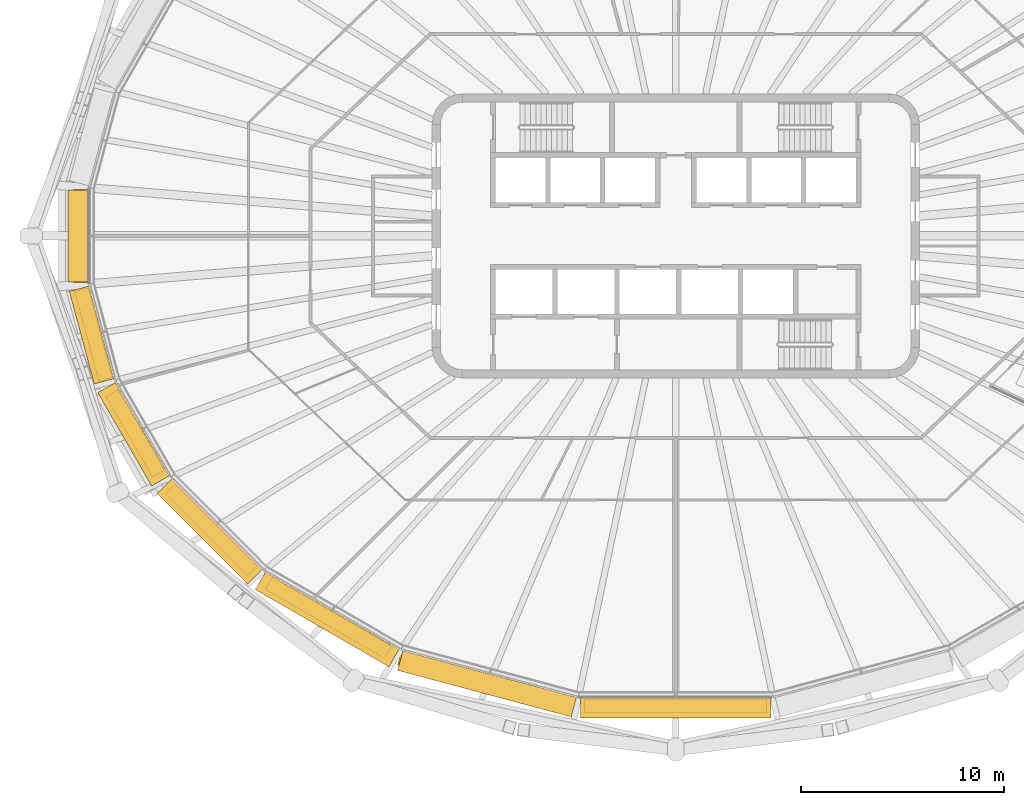
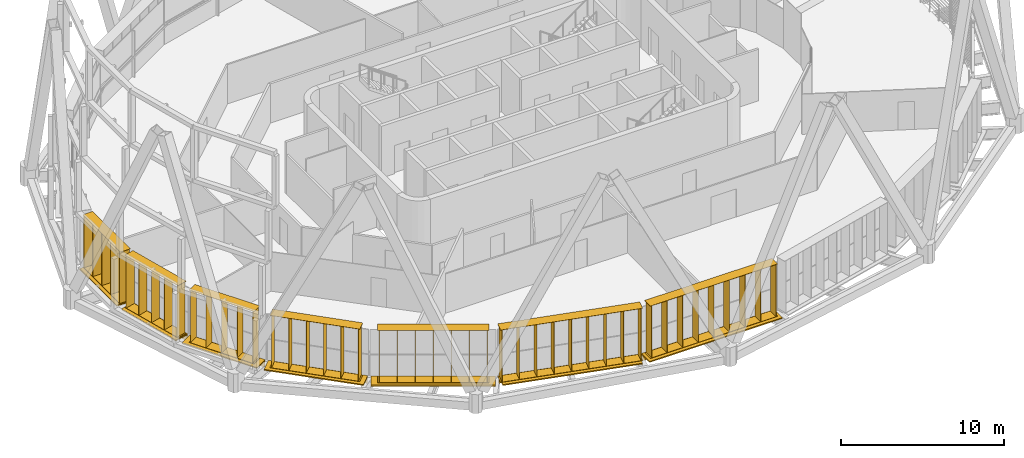
# One storey, part 17 of 22: 14 shading devices.
"""IFC4 building model written with IfcOpenShell, lengths in metres."""

from ifc_helpers import new_model, si_unit, direction, frame, origin, origin_2d, place, context, subcontext, project, spatial, rectangle, extrude, material, type_object, element, save


model = new_model("IFC4")

# Units and contexts
model_context = context("Model", 3, precision=1e-05, world=origin(), true_north=direction((0.0, 1.0)))
body_context = subcontext(model_context, "Body", "Model", "MODEL_VIEW")
ifc_project = project(units=[si_unit("LENGTHUNIT", "METRE"), si_unit("AREAUNIT", "SQUARE_METRE"), si_unit("VOLUMEUNIT", "CUBIC_METRE"), si_unit("PLANEANGLEUNIT", "RADIAN"), si_unit("MASSUNIT", "GRAM", prefix="KILO")], contexts=[model_context])

# Site, building, storey
site_placement = place(None, origin())
site = spatial("IfcSite", under=ifc_project, at=site_placement, CompositionType="ELEMENT")
building_placement = place(site_placement, origin())
building = spatial("IfcBuilding", under=site, at=building_placement, Name="Sahrelin Media Tower", CompositionType="ELEMENT")
storey_placement = place(building_placement, frame((0.0, 0.0, 283.0)))
storey = spatial("IfcBuildingStorey", under=building, at=storey_placement, Name="L62", CompositionType="ELEMENT", Elevation=283.0)

# Shading devices
ifc_material = material(Name="Champagne anodised aluminium 6063-T6", Category="aluminium")
shading_device_type_1 = type_object("IfcShadingDeviceType", Name="Fin cassette", PredefinedType="USERDEFINED", material=ifc_material)
placement_1 = place(storey_placement, frame((-28.9189453125, 0.0, 0.0), z_axis=(0.0, 0.0, 1.0), x_axis=(0.0, 1.0, 0.0)))
element("IfcShadingDevice", 1, at=placement_1, inside=storey, type_object=shading_device_type_1, Name="L62:FIN:L62-12", ObjectType="FIN", PredefinedType="USERDEFINED", context=body_context, shape_type="SweptSolid", body=[
    extrude(rectangle(XDim=4.60009765625, YDim=0.699951171875, at=origin_2d()), frame((0.0, 0.419921875, 0.0)), (0.0, 0.0, 1.0), 0.02001953125),
    extrude(rectangle(XDim=4.60009765625, YDim=0.699951171875, at=origin_2d()), frame((0.0, 0.419921875, 3.89990234375)), (0.0, 0.0, 1.0), 0.02001953125),
    extrude(rectangle(XDim=0.02001953125, YDim=0.699951171875, at=origin_2d()), frame((-2.199951171875, 0.419921875, 0.010009765625), z_axis=(0.0, 0.0, 1.0), x_axis=(1.0, 0.0, 0.0)), (0.0, 0.0, 1.0), 3.89990234375),
    extrude(rectangle(XDim=0.02001953125, YDim=0.699951171875, at=origin_2d()), frame((-1.10009765625, 0.419921875, 0.010009765625), z_axis=(0.0, 0.0, 1.0), x_axis=(1.0, 0.0, 0.0)), (0.0, 0.0, 1.0), 3.89990234375),
    extrude(rectangle(XDim=0.02001953125, YDim=0.699951171875, at=origin_2d()), frame((0.0, 0.419921875, 0.010009765625), z_axis=(0.0, 0.0, 1.0), x_axis=(1.0, 0.0, 0.0)), (0.0, 0.0, 1.0), 3.89990234375),
    extrude(rectangle(XDim=0.02001953125, YDim=0.699951171875, at=origin_2d()), frame((1.10009765625, 0.419921875, 0.010009765625), z_axis=(0.0, 0.0, 1.0), x_axis=(1.0, 0.0, 0.0)), (0.0, 0.0, 1.0), 3.89990234375),
    extrude(rectangle(XDim=0.02001953125, YDim=0.699951171875, at=origin_2d()), frame((2.199951171875, 0.419921875, 0.010009765625), z_axis=(0.0, 0.0, 1.0), x_axis=(1.0, 0.0, 0.0)), (0.0, 0.0, 1.0), 3.89990234375),
])
placement_2 = place(storey_placement, frame((-28.28125, -4.74853515625, 0.0), z_axis=(0.0, 0.0, 1.0), x_axis=(-0.258807731996, 0.965928857556, 0.0)))
element("IfcShadingDevice", 2, at=placement_2, inside=storey, type_object=shading_device_type_1, Name="L62:FIN:L62-13", ObjectType="FIN", PredefinedType="USERDEFINED", context=body_context, shape_type="SweptSolid", body=[
    extrude(rectangle(XDim=4.60009765625, YDim=0.699951171875, at=origin_2d()), frame((0.0, 0.419921875, 0.0)), (0.0, 0.0, 1.0), 0.02001953125),
    extrude(rectangle(XDim=4.60009765625, YDim=0.699951171875, at=origin_2d()), frame((0.0, 0.419921875, 3.89990234375)), (0.0, 0.0, 1.0), 0.02001953125),
    extrude(rectangle(XDim=0.02001953125, YDim=0.699951171875, at=origin_2d()), frame((-2.199951171875, 0.419921875, 0.010009765625), z_axis=(0.0, 0.0, 1.0), x_axis=(1.0, 0.0, 0.0)), (0.0, 0.0, 1.0), 3.89990234375),
    extrude(rectangle(XDim=0.02001953125, YDim=0.699951171875, at=origin_2d()), frame((-1.10009765625, 0.419921875, 0.010009765625), z_axis=(0.0, 0.0, 1.0), x_axis=(1.0, 0.0, 0.0)), (0.0, 0.0, 1.0), 3.89990234375),
    extrude(rectangle(XDim=0.02001953125, YDim=0.699951171875, at=origin_2d()), frame((0.0, 0.419921875, 0.010009765625), z_axis=(0.0, 0.0, 1.0), x_axis=(1.0, 0.0, 0.0)), (0.0, 0.0, 1.0), 3.89990234375),
    extrude(rectangle(XDim=0.02001953125, YDim=0.699951171875, at=origin_2d()), frame((1.10009765625, 0.419921875, 0.010009765625), z_axis=(0.0, 0.0, 1.0), x_axis=(1.0, 0.0, 0.0)), (0.0, 0.0, 1.0), 3.89990234375),
    extrude(rectangle(XDim=0.02001953125, YDim=0.699951171875, at=origin_2d()), frame((2.199951171875, 0.419921875, 0.010009765625), z_axis=(0.0, 0.0, 1.0), x_axis=(1.0, 0.0, 0.0)), (0.0, 0.0, 1.0), 3.89990234375),
])
placement_3 = place(storey_placement, frame((-26.26708984375, -9.512451171875, 0.0), z_axis=(0.0, 0.0, 1.0), x_axis=(-0.500011000363, 0.866019052629, 0.0)))
element("IfcShadingDevice", 3, at=placement_3, inside=storey, type_object=shading_device_type_1, Name="L62:FIN:L62-14", ObjectType="FIN", PredefinedType="USERDEFINED", context=body_context, shape_type="SweptSolid", body=[
    extrude(rectangle(XDim=4.60009765625, YDim=0.699951171875, at=origin_2d()), frame((0.0, 0.419921875, 0.0)), (0.0, 0.0, 1.0), 0.02001953125),
    extrude(rectangle(XDim=4.60009765625, YDim=0.699951171875, at=origin_2d()), frame((0.0, 0.419921875, 3.89990234375)), (0.0, 0.0, 1.0), 0.02001953125),
    extrude(rectangle(XDim=0.02001953125, YDim=0.699951171875, at=origin_2d()), frame((-2.199951171875, 0.419921875, 0.010009765625), z_axis=(0.0, 0.0, 1.0), x_axis=(1.0, 0.0, 0.0)), (0.0, 0.0, 1.0), 3.89990234375),
    extrude(rectangle(XDim=0.02001953125, YDim=0.699951171875, at=origin_2d()), frame((-1.10009765625, 0.419921875, 0.010009765625), z_axis=(0.0, 0.0, 1.0), x_axis=(1.0, 0.0, 0.0)), (0.0, 0.0, 1.0), 3.89990234375),
    extrude(rectangle(XDim=0.02001953125, YDim=0.699951171875, at=origin_2d()), frame((0.0, 0.419921875, 0.010009765625), z_axis=(0.0, 0.0, 1.0), x_axis=(1.0, 0.0, 0.0)), (0.0, 0.0, 1.0), 3.89990234375),
    extrude(rectangle(XDim=0.02001953125, YDim=0.699951171875, at=origin_2d()), frame((1.10009765625, 0.419921875, 0.010009765625), z_axis=(0.0, 0.0, 1.0), x_axis=(1.0, 0.0, 0.0)), (0.0, 0.0, 1.0), 3.89990234375),
    extrude(rectangle(XDim=0.02001953125, YDim=0.699951171875, at=origin_2d()), frame((2.199951171875, 0.419921875, 0.010009765625), z_axis=(0.0, 0.0, 1.0), x_axis=(1.0, 0.0, 0.0)), (0.0, 0.0, 1.0), 3.89990234375),
])
placement_4 = place(storey_placement, frame((-22.593017578125, -14.1943359375, 0.0), z_axis=(0.0, 0.0, 1.0), x_axis=(-0.707106781187, 0.707106781187, 0.0)))
element("IfcShadingDevice", 4, at=placement_4, inside=storey, type_object=shading_device_type_1, Name="L62:FIN:L62-15", ObjectType="FIN", PredefinedType="USERDEFINED", context=body_context, shape_type="SweptSolid", body=[
    extrude(rectangle(XDim=5.699951171875, YDim=0.699951171875, at=origin_2d()), frame((0.0, 0.419921875, 0.0)), (0.0, 0.0, 1.0), 0.02001953125),
    extrude(rectangle(XDim=5.699951171875, YDim=0.699951171875, at=origin_2d()), frame((0.0, 0.419921875, 3.89990234375)), (0.0, 0.0, 1.0), 0.02001953125),
    extrude(rectangle(XDim=0.02001953125, YDim=0.699951171875, at=origin_2d()), frame((-2.75, 0.419921875, 0.010009765625), z_axis=(0.0, 0.0, 1.0), x_axis=(1.0, 0.0, 0.0)), (0.0, 0.0, 1.0), 3.89990234375),
    extrude(rectangle(XDim=0.02001953125, YDim=0.699951171875, at=origin_2d()), frame((-1.64990234375, 0.419921875, 0.010009765625), z_axis=(0.0, 0.0, 1.0), x_axis=(1.0, 0.0, 0.0)), (0.0, 0.0, 1.0), 3.89990234375),
    extrude(rectangle(XDim=0.02001953125, YDim=0.699951171875, at=origin_2d()), frame((-0.550048828125, 0.419921875, 0.010009765625), z_axis=(0.0, 0.0, 1.0), x_axis=(1.0, 0.0, 0.0)), (0.0, 0.0, 1.0), 3.89990234375),
    extrude(rectangle(XDim=0.02001953125, YDim=0.699951171875, at=origin_2d()), frame((0.550048828125, 0.419921875, 0.010009765625), z_axis=(0.0, 0.0, 1.0), x_axis=(1.0, 0.0, 0.0)), (0.0, 0.0, 1.0), 3.89990234375),
    extrude(rectangle(XDim=0.02001953125, YDim=0.699951171875, at=origin_2d()), frame((1.64990234375, 0.419921875, 0.010009765625), z_axis=(0.0, 0.0, 1.0), x_axis=(1.0, 0.0, 0.0)), (0.0, 0.0, 1.0), 3.89990234375),
    extrude(rectangle(XDim=0.02001953125, YDim=0.699951171875, at=origin_2d()), frame((2.75, 0.419921875, 0.010009765625), z_axis=(0.0, 0.0, 1.0), x_axis=(1.0, 0.0, 0.0)), (0.0, 0.0, 1.0), 3.89990234375),
])
placement_5 = place(storey_placement, frame((-16.9150390625, -18.443603515625, 0.0), z_axis=(0.0, 0.0, 1.0), x_axis=(-0.866019052629, 0.500011000363, 0.0)))
element("IfcShadingDevice", 5, at=placement_5, inside=storey, type_object=shading_device_type_1, Name="L62:FIN:L62-16", ObjectType="FIN", PredefinedType="USERDEFINED", context=body_context, shape_type="SweptSolid", body=[
    extrude(rectangle(XDim=6.800048828125, YDim=0.699951171875, at=origin_2d()), frame((0.0, 0.419921875, 0.0)), (0.0, 0.0, 1.0), 0.02001953125),
    extrude(rectangle(XDim=6.800048828125, YDim=0.699951171875, at=origin_2d()), frame((0.0, 0.419921875, 3.89990234375)), (0.0, 0.0, 1.0), 0.02001953125),
    extrude(rectangle(XDim=0.02001953125, YDim=0.699951171875, at=origin_2d()), frame((-3.300048828125, 0.419921875, 0.010009765625), z_axis=(0.0, 0.0, 1.0), x_axis=(1.0, 0.0, 0.0)), (0.0, 0.0, 1.0), 3.89990234375),
    extrude(rectangle(XDim=0.02001953125, YDim=0.699951171875, at=origin_2d()), frame((-2.199951171875, 0.419921875, 0.010009765625), z_axis=(0.0, 0.0, 1.0), x_axis=(1.0, 0.0, 0.0)), (0.0, 0.0, 1.0), 3.89990234375),
    extrude(rectangle(XDim=0.02001953125, YDim=0.699951171875, at=origin_2d()), frame((-1.10009765625, 0.419921875, 0.010009765625), z_axis=(0.0, 0.0, 1.0), x_axis=(1.0, 0.0, 0.0)), (0.0, 0.0, 1.0), 3.89990234375),
    extrude(rectangle(XDim=0.02001953125, YDim=0.699951171875, at=origin_2d()), frame((0.0, 0.419921875, 0.010009765625), z_axis=(0.0, 0.0, 1.0), x_axis=(1.0, 0.0, 0.0)), (0.0, 0.0, 1.0), 3.89990234375),
    extrude(rectangle(XDim=0.02001953125, YDim=0.699951171875, at=origin_2d()), frame((1.10009765625, 0.419921875, 0.010009765625), z_axis=(0.0, 0.0, 1.0), x_axis=(1.0, 0.0, 0.0)), (0.0, 0.0, 1.0), 3.89990234375),
    extrude(rectangle(XDim=0.02001953125, YDim=0.699951171875, at=origin_2d()), frame((2.199951171875, 0.419921875, 0.010009765625), z_axis=(0.0, 0.0, 1.0), x_axis=(1.0, 0.0, 0.0)), (0.0, 0.0, 1.0), 3.89990234375),
    extrude(rectangle(XDim=0.02001953125, YDim=0.699951171875, at=origin_2d()), frame((3.300048828125, 0.419921875, 0.010009765625), z_axis=(0.0, 0.0, 1.0), x_axis=(1.0, 0.0, 0.0)), (0.0, 0.0, 1.0), 3.89990234375),
])
placement_6 = place(storey_placement, frame((-9.163330078125, -21.56640625, 0.0), z_axis=(0.0, 0.0, 1.0), x_axis=(-0.965928857556, 0.258807731996, 0.0)))
element("IfcShadingDevice", 6, at=placement_6, inside=storey, type_object=shading_device_type_1, Name="L62:FIN:L62-17", ObjectType="FIN", PredefinedType="USERDEFINED", context=body_context, shape_type="SweptSolid", body=[
    extrude(rectangle(XDim=9.0, YDim=0.699951171875, at=origin_2d()), frame((0.0, 0.419921875, 0.0)), (0.0, 0.0, 1.0), 0.02001953125),
    extrude(rectangle(XDim=9.0, YDim=0.699951171875, at=origin_2d()), frame((0.0, 0.419921875, 3.89990234375)), (0.0, 0.0, 1.0), 0.02001953125),
    extrude(rectangle(XDim=0.02001953125, YDim=0.699951171875, at=origin_2d()), frame((-4.39990234375, 0.419921875, 0.010009765625), z_axis=(0.0, 0.0, 1.0), x_axis=(1.0, 0.0, 0.0)), (0.0, 0.0, 1.0), 3.89990234375),
    extrude(rectangle(XDim=0.02001953125, YDim=0.699951171875, at=origin_2d()), frame((-3.300048828125, 0.419921875, 0.010009765625), z_axis=(0.0, 0.0, 1.0), x_axis=(1.0, 0.0, 0.0)), (0.0, 0.0, 1.0), 3.89990234375),
    extrude(rectangle(XDim=0.02001953125, YDim=0.699951171875, at=origin_2d()), frame((-2.199951171875, 0.419921875, 0.010009765625), z_axis=(0.0, 0.0, 1.0), x_axis=(1.0, 0.0, 0.0)), (0.0, 0.0, 1.0), 3.89990234375),
    extrude(rectangle(XDim=0.02001953125, YDim=0.699951171875, at=origin_2d()), frame((-1.10009765625, 0.419921875, 0.010009765625), z_axis=(0.0, 0.0, 1.0), x_axis=(1.0, 0.0, 0.0)), (0.0, 0.0, 1.0), 3.89990234375),
    extrude(rectangle(XDim=0.02001953125, YDim=0.699951171875, at=origin_2d()), frame((0.0, 0.419921875, 0.010009765625), z_axis=(0.0, 0.0, 1.0), x_axis=(1.0, 0.0, 0.0)), (0.0, 0.0, 1.0), 3.89990234375),
    extrude(rectangle(XDim=0.02001953125, YDim=0.699951171875, at=origin_2d()), frame((1.10009765625, 0.419921875, 0.010009765625), z_axis=(0.0, 0.0, 1.0), x_axis=(1.0, 0.0, 0.0)), (0.0, 0.0, 1.0), 3.89990234375),
    extrude(rectangle(XDim=0.02001953125, YDim=0.699951171875, at=origin_2d()), frame((2.199951171875, 0.419921875, 0.010009765625), z_axis=(0.0, 0.0, 1.0), x_axis=(1.0, 0.0, 0.0)), (0.0, 0.0, 1.0), 3.89990234375),
    extrude(rectangle(XDim=0.02001953125, YDim=0.699951171875, at=origin_2d()), frame((3.300048828125, 0.419921875, 0.010009765625), z_axis=(0.0, 0.0, 1.0), x_axis=(1.0, 0.0, 0.0)), (0.0, 0.0, 1.0), 3.89990234375),
    extrude(rectangle(XDim=0.02001953125, YDim=0.699951171875, at=origin_2d()), frame((4.39990234375, 0.419921875, 0.010009765625), z_axis=(0.0, 0.0, 1.0), x_axis=(1.0, 0.0, 0.0)), (0.0, 0.0, 1.0), 3.89990234375),
])
placement_7 = place(storey_placement, frame((0.0, -22.73779296875, 0.0), z_axis=(0.0, 0.0, 1.0), x_axis=(-1.0, 0.0, 0.0)))
element("IfcShadingDevice", 7, at=placement_7, inside=storey, type_object=shading_device_type_1, Name="L62:FIN:L62-18", ObjectType="FIN", PredefinedType="USERDEFINED", context=body_context, shape_type="SweptSolid", body=[
    extrude(rectangle(XDim=9.0, YDim=0.699951171875, at=origin_2d()), frame((0.0, 0.419921875, 0.0)), (0.0, 0.0, 1.0), 0.02001953125),
    extrude(rectangle(XDim=9.0, YDim=0.699951171875, at=origin_2d()), frame((0.0, 0.419921875, 3.89990234375)), (0.0, 0.0, 1.0), 0.02001953125),
    extrude(rectangle(XDim=0.02001953125, YDim=0.699951171875, at=origin_2d()), frame((-4.39990234375, 0.419921875, 0.010009765625), z_axis=(0.0, 0.0, 1.0), x_axis=(1.0, 0.0, 0.0)), (0.0, 0.0, 1.0), 3.89990234375),
    extrude(rectangle(XDim=0.02001953125, YDim=0.699951171875, at=origin_2d()), frame((-3.300048828125, 0.419921875, 0.010009765625), z_axis=(0.0, 0.0, 1.0), x_axis=(1.0, 0.0, 0.0)), (0.0, 0.0, 1.0), 3.89990234375),
    extrude(rectangle(XDim=0.02001953125, YDim=0.699951171875, at=origin_2d()), frame((-2.199951171875, 0.419921875, 0.010009765625), z_axis=(0.0, 0.0, 1.0), x_axis=(1.0, 0.0, 0.0)), (0.0, 0.0, 1.0), 3.89990234375),
    extrude(rectangle(XDim=0.02001953125, YDim=0.699951171875, at=origin_2d()), frame((-1.10009765625, 0.419921875, 0.010009765625), z_axis=(0.0, 0.0, 1.0), x_axis=(1.0, 0.0, 0.0)), (0.0, 0.0, 1.0), 3.89990234375),
    extrude(rectangle(XDim=0.02001953125, YDim=0.699951171875, at=origin_2d()), frame((0.0, 0.419921875, 0.010009765625), z_axis=(0.0, 0.0, 1.0), x_axis=(1.0, 0.0, 0.0)), (0.0, 0.0, 1.0), 3.89990234375),
    extrude(rectangle(XDim=0.02001953125, YDim=0.699951171875, at=origin_2d()), frame((1.10009765625, 0.419921875, 0.010009765625), z_axis=(0.0, 0.0, 1.0), x_axis=(1.0, 0.0, 0.0)), (0.0, 0.0, 1.0), 3.89990234375),
    extrude(rectangle(XDim=0.02001953125, YDim=0.699951171875, at=origin_2d()), frame((2.199951171875, 0.419921875, 0.010009765625), z_axis=(0.0, 0.0, 1.0), x_axis=(1.0, 0.0, 0.0)), (0.0, 0.0, 1.0), 3.89990234375),
    extrude(rectangle(XDim=0.02001953125, YDim=0.699951171875, at=origin_2d()), frame((3.300048828125, 0.419921875, 0.010009765625), z_axis=(0.0, 0.0, 1.0), x_axis=(1.0, 0.0, 0.0)), (0.0, 0.0, 1.0), 3.89990234375),
    extrude(rectangle(XDim=0.02001953125, YDim=0.699951171875, at=origin_2d()), frame((4.39990234375, 0.419921875, 0.010009765625), z_axis=(0.0, 0.0, 1.0), x_axis=(1.0, 0.0, 0.0)), (0.0, 0.0, 1.0), 3.89990234375),
])
shading_device_type_2 = type_object("IfcShadingDeviceType", Name="Sunshade band", PredefinedType="USERDEFINED", material=ifc_material)
element("IfcShadingDevice", 8, at=placement_1, inside=storey, type_object=shading_device_type_2, Name="L62:SUN:L62-12", ObjectType="SUNSHADE", PredefinedType="USERDEFINED", context=body_context, shape_type="SweptSolid", body=[
    extrude(rectangle(XDim=4.538330078125, YDim=0.050048828125, at=origin_2d()), frame((0.0, 0.044921875, -0.55126953125)), (0.0, 0.0, 1.0), 0.471435546875),
    extrude(rectangle(XDim=4.538330078125, YDim=1.0, at=origin_2d()), frame((0.0, 0.52001953125, -0.080078125)), (0.0, 0.0, 1.0), 0.080078125),
    extrude(rectangle(XDim=0.10009765625, YDim=0.074951171875, at=origin_2d()), frame((-2.169189453125, -0.017578125, -0.47021484375)), (0.0, 0.0, 1.0), 0.300048828125),
    extrude(rectangle(XDim=0.10009765625, YDim=0.074951171875, at=origin_2d()), frame((-0.72314453125, -0.017578125, -0.47021484375)), (0.0, 0.0, 1.0), 0.300048828125),
    extrude(rectangle(XDim=0.10009765625, YDim=0.074951171875, at=origin_2d()), frame((0.72314453125, -0.017578125, -0.47021484375)), (0.0, 0.0, 1.0), 0.300048828125),
    extrude(rectangle(XDim=0.10009765625, YDim=0.074951171875, at=origin_2d()), frame((2.169189453125, -0.017578125, -0.47021484375)), (0.0, 0.0, 1.0), 0.300048828125),
])
element("IfcShadingDevice", 9, at=placement_2, inside=storey, type_object=shading_device_type_2, Name="L62:SUN:L62-13", ObjectType="SUNSHADE", PredefinedType="USERDEFINED", context=body_context, shape_type="SweptSolid", body=[
    extrude(rectangle(XDim=4.7265625, YDim=0.050048828125, at=origin_2d()), frame((0.0, 0.044921875, -0.55126953125)), (0.0, 0.0, 1.0), 0.471435546875),
    extrude(rectangle(XDim=4.7265625, YDim=1.0, at=origin_2d()), frame((0.0, 0.52001953125, -0.080078125)), (0.0, 0.0, 1.0), 0.080078125),
    extrude(rectangle(XDim=0.10009765625, YDim=0.074951171875, at=origin_2d()), frame((-2.26318359375, -0.017578125, -0.47021484375)), (0.0, 0.0, 1.0), 0.300048828125),
    extrude(rectangle(XDim=0.10009765625, YDim=0.074951171875, at=origin_2d()), frame((-0.75439453125, -0.017578125, -0.47021484375)), (0.0, 0.0, 1.0), 0.300048828125),
    extrude(rectangle(XDim=0.10009765625, YDim=0.074951171875, at=origin_2d()), frame((0.75439453125, -0.017578125, -0.47021484375)), (0.0, 0.0, 1.0), 0.300048828125),
    extrude(rectangle(XDim=0.10009765625, YDim=0.074951171875, at=origin_2d()), frame((2.26318359375, -0.017578125, -0.47021484375)), (0.0, 0.0, 1.0), 0.300048828125),
])
element("IfcShadingDevice", 10, at=placement_3, inside=storey, type_object=shading_device_type_2, Name="L62:SUN:L62-14", ObjectType="SUNSHADE", PredefinedType="USERDEFINED", context=body_context, shape_type="SweptSolid", body=[
    extrude(rectangle(XDim=5.306884765625, YDim=0.050048828125, at=origin_2d()), frame((0.0, 0.044921875, -0.55126953125)), (0.0, 0.0, 1.0), 0.471435546875),
    extrude(rectangle(XDim=5.306884765625, YDim=1.0, at=origin_2d()), frame((0.0, 0.52001953125, -0.080078125)), (0.0, 0.0, 1.0), 0.080078125),
    extrude(rectangle(XDim=0.10009765625, YDim=0.074951171875, at=origin_2d()), frame((-2.553466796875, -0.017578125, -0.47021484375)), (0.0, 0.0, 1.0), 0.300048828125),
    extrude(rectangle(XDim=0.10009765625, YDim=0.074951171875, at=origin_2d()), frame((-0.851318359375, -0.017578125, -0.47021484375)), (0.0, 0.0, 1.0), 0.300048828125),
    extrude(rectangle(XDim=0.10009765625, YDim=0.074951171875, at=origin_2d()), frame((0.851318359375, -0.017578125, -0.47021484375)), (0.0, 0.0, 1.0), 0.300048828125),
    extrude(rectangle(XDim=0.10009765625, YDim=0.074951171875, at=origin_2d()), frame((2.553466796875, -0.017578125, -0.47021484375)), (0.0, 0.0, 1.0), 0.300048828125),
])
element("IfcShadingDevice", 11, at=placement_4, inside=storey, type_object=shading_device_type_2, Name="L62:SUN:L62-15", ObjectType="SUNSHADE", PredefinedType="USERDEFINED", context=body_context, shape_type="SweptSolid", body=[
    extrude(rectangle(XDim=6.298095703125, YDim=0.050048828125, at=origin_2d()), frame((0.0, 0.044921875, -0.55126953125)), (0.0, 0.0, 1.0), 0.471435546875),
    extrude(rectangle(XDim=6.298095703125, YDim=1.0, at=origin_2d()), frame((0.0, 0.52001953125, -0.080078125)), (0.0, 0.0, 1.0), 0.080078125),
    extrude(rectangle(XDim=0.10009765625, YDim=0.074951171875, at=origin_2d()), frame((-3.049072265625, -0.017578125, -0.47021484375)), (0.0, 0.0, 1.0), 0.300048828125),
    extrude(rectangle(XDim=0.10009765625, YDim=0.074951171875, at=origin_2d()), frame((-1.5244140625, -0.017578125, -0.47021484375)), (0.0, 0.0, 1.0), 0.300048828125),
    extrude(rectangle(XDim=0.10009765625, YDim=0.074951171875, at=origin_2d()), frame((0.0, -0.017578125, -0.47021484375)), (0.0, 0.0, 1.0), 0.300048828125),
    extrude(rectangle(XDim=0.10009765625, YDim=0.074951171875, at=origin_2d()), frame((1.5244140625, -0.017578125, -0.47021484375)), (0.0, 0.0, 1.0), 0.300048828125),
    extrude(rectangle(XDim=0.10009765625, YDim=0.074951171875, at=origin_2d()), frame((3.049072265625, -0.017578125, -0.47021484375)), (0.0, 0.0, 1.0), 0.300048828125),
])
element("IfcShadingDevice", 12, at=placement_5, inside=storey, type_object=shading_device_type_2, Name="L62:SUN:L62-16", ObjectType="SUNSHADE", PredefinedType="USERDEFINED", context=body_context, shape_type="SweptSolid", body=[
    extrude(rectangle(XDim=7.60693359375, YDim=0.050048828125, at=origin_2d()), frame((0.0, 0.044921875, -0.55126953125)), (0.0, 0.0, 1.0), 0.471435546875),
    extrude(rectangle(XDim=7.60693359375, YDim=1.0, at=origin_2d()), frame((0.0, 0.52001953125, -0.080078125)), (0.0, 0.0, 1.0), 0.080078125),
    extrude(rectangle(XDim=0.10009765625, YDim=0.074951171875, at=origin_2d()), frame((-3.70361328125, -0.017578125, -0.47021484375)), (0.0, 0.0, 1.0), 0.300048828125),
    extrude(rectangle(XDim=0.10009765625, YDim=0.074951171875, at=origin_2d()), frame((-1.851806640625, -0.017578125, -0.47021484375)), (0.0, 0.0, 1.0), 0.300048828125),
    extrude(rectangle(XDim=0.10009765625, YDim=0.074951171875, at=origin_2d()), frame((0.0, -0.017578125, -0.47021484375)), (0.0, 0.0, 1.0), 0.300048828125),
    extrude(rectangle(XDim=0.10009765625, YDim=0.074951171875, at=origin_2d()), frame((1.851806640625, -0.017578125, -0.47021484375)), (0.0, 0.0, 1.0), 0.300048828125),
    extrude(rectangle(XDim=0.10009765625, YDim=0.074951171875, at=origin_2d()), frame((3.70361328125, -0.017578125, -0.47021484375)), (0.0, 0.0, 1.0), 0.300048828125),
])
element("IfcShadingDevice", 13, at=placement_6, inside=storey, type_object=shading_device_type_2, Name="L62:SUN:L62-17", ObjectType="SUNSHADE", PredefinedType="USERDEFINED", context=body_context, shape_type="SweptSolid", body=[
    extrude(rectangle(XDim=8.8505859375, YDim=0.050048828125, at=origin_2d()), frame((0.0, 0.044921875, -0.55126953125)), (0.0, 0.0, 1.0), 0.471435546875),
    extrude(rectangle(XDim=8.8505859375, YDim=1.0, at=origin_2d()), frame((0.0, 0.52001953125, -0.080078125)), (0.0, 0.0, 1.0), 0.080078125),
    extrude(rectangle(XDim=0.10009765625, YDim=0.074951171875, at=origin_2d()), frame((-4.3251953125, -0.017578125, -0.47021484375)), (0.0, 0.0, 1.0), 0.300048828125),
    extrude(rectangle(XDim=0.10009765625, YDim=0.074951171875, at=origin_2d()), frame((-2.59521484375, -0.017578125, -0.47021484375)), (0.0, 0.0, 1.0), 0.300048828125),
    extrude(rectangle(XDim=0.10009765625, YDim=0.074951171875, at=origin_2d()), frame((-0.864990234375, -0.017578125, -0.47021484375)), (0.0, 0.0, 1.0), 0.300048828125),
    extrude(rectangle(XDim=0.10009765625, YDim=0.074951171875, at=origin_2d()), frame((0.864990234375, -0.017578125, -0.47021484375)), (0.0, 0.0, 1.0), 0.300048828125),
    extrude(rectangle(XDim=0.10009765625, YDim=0.074951171875, at=origin_2d()), frame((2.59521484375, -0.017578125, -0.47021484375)), (0.0, 0.0, 1.0), 0.300048828125),
    extrude(rectangle(XDim=0.10009765625, YDim=0.074951171875, at=origin_2d()), frame((4.3251953125, -0.017578125, -0.47021484375)), (0.0, 0.0, 1.0), 0.300048828125),
])
element("IfcShadingDevice", 14, at=placement_7, inside=storey, type_object=shading_device_type_2, Name="L62:SUN:L62-18", ObjectType="SUNSHADE", PredefinedType="USERDEFINED", context=body_context, shape_type="SweptSolid", body=[
    extrude(rectangle(XDim=9.384521484375, YDim=0.050048828125, at=origin_2d()), frame((0.0, 0.044921875, -0.55126953125)), (0.0, 0.0, 1.0), 0.471435546875),
    extrude(rectangle(XDim=9.384521484375, YDim=1.0, at=origin_2d()), frame((0.0, 0.52001953125, -0.080078125)), (0.0, 0.0, 1.0), 0.080078125),
    extrude(rectangle(XDim=0.10009765625, YDim=0.074951171875, at=origin_2d()), frame((-4.59228515625, -0.017578125, -0.47021484375)), (0.0, 0.0, 1.0), 0.300048828125),
    extrude(rectangle(XDim=0.10009765625, YDim=0.074951171875, at=origin_2d()), frame((-2.75537109375, -0.017578125, -0.47021484375)), (0.0, 0.0, 1.0), 0.300048828125),
    extrude(rectangle(XDim=0.10009765625, YDim=0.074951171875, at=origin_2d()), frame((-0.91845703125, -0.017578125, -0.47021484375)), (0.0, 0.0, 1.0), 0.300048828125),
    extrude(rectangle(XDim=0.10009765625, YDim=0.074951171875, at=origin_2d()), frame((0.91845703125, -0.017578125, -0.47021484375)), (0.0, 0.0, 1.0), 0.300048828125),
    extrude(rectangle(XDim=0.10009765625, YDim=0.074951171875, at=origin_2d()), frame((2.75537109375, -0.017578125, -0.47021484375)), (0.0, 0.0, 1.0), 0.300048828125),
    extrude(rectangle(XDim=0.10009765625, YDim=0.074951171875, at=origin_2d()), frame((4.59228515625, -0.017578125, -0.47021484375)), (0.0, 0.0, 1.0), 0.300048828125),
])

save(model, "model.ifc")
